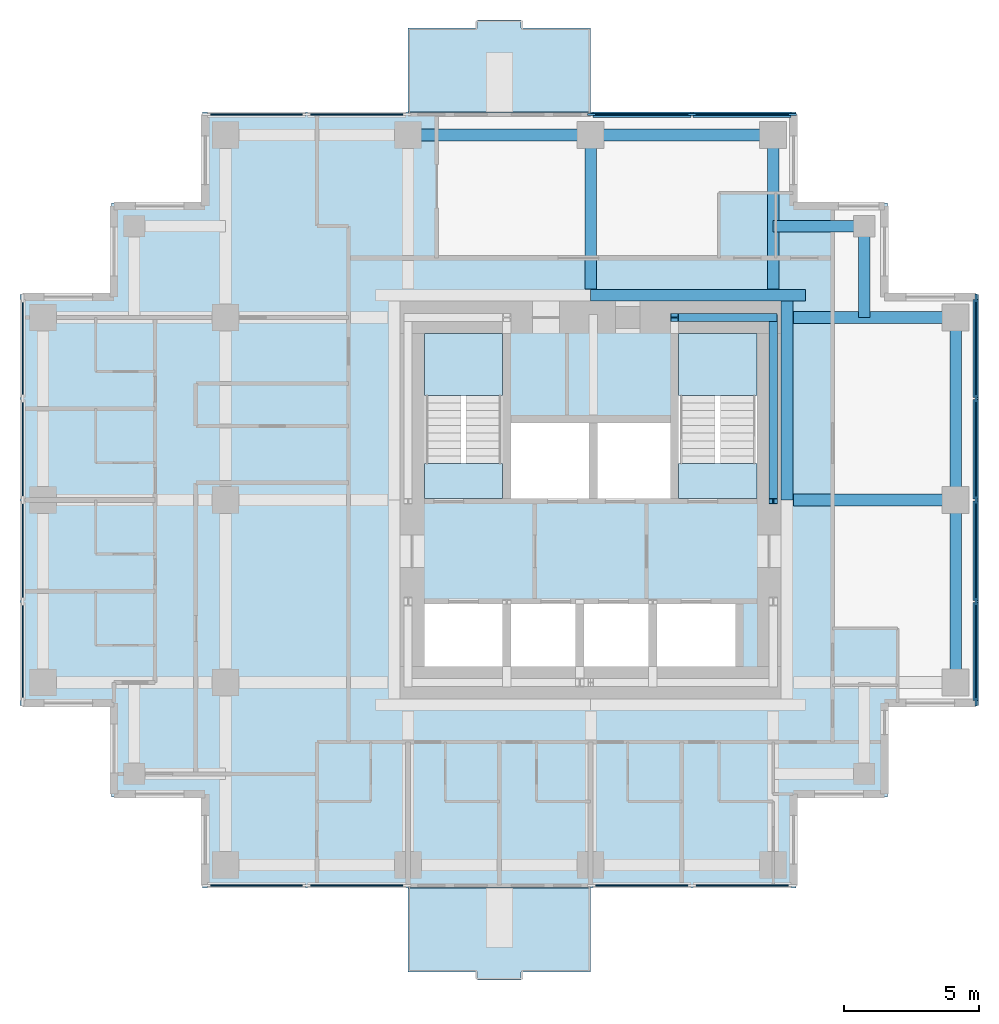
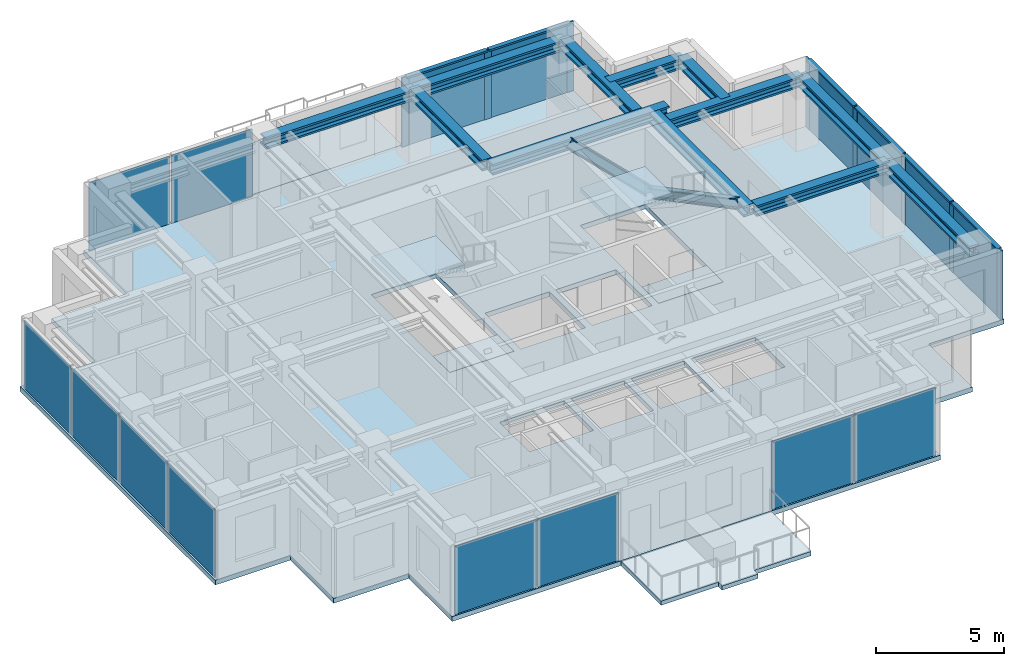
# One storey, part 2 of 8: 16 members, 16 plates, 12 beams, 7 slabs, 8 elements without a shape of their own.
"""IFC4 building model written with IfcOpenShell, lengths in metres."""

from ifc_helpers import new_model, si_unit, direction, frame, origin, origin_2d, place, context, subcontext, project, spatial, polyline, rectangle, i_section, outline, extrude, material, layer, layer_set, material_profile, profile_set, type_object, element, aggregate, save


model = new_model("IFC4")

# Units and contexts
model_context = context("Model", 3, precision=1e-05, world=origin(), true_north=direction((0.0, 1.0)))
body_context = subcontext(model_context, "Body", "Model", "MODEL_VIEW")
ifc_project = project(units=[si_unit("LENGTHUNIT", "METRE"), si_unit("AREAUNIT", "SQUARE_METRE"), si_unit("VOLUMEUNIT", "CUBIC_METRE"), si_unit("PLANEANGLEUNIT", "RADIAN"), si_unit("MASSUNIT", "GRAM", prefix="KILO")], contexts=[model_context])

# Site, building, storey
site_placement = place(None, origin())
site = spatial("IfcSite", under=ifc_project, at=site_placement, CompositionType="ELEMENT")
building_placement = place(site_placement, origin())
building = spatial("IfcBuilding", under=site, at=building_placement, Name="Nyansa Garden Tower", CompositionType="ELEMENT")
storey_placement = place(building_placement, frame((0.0, 0.0, 251.10009765625)))
storey = spatial("IfcBuildingStorey", under=building, at=storey_placement, Name="L68", CompositionType="ELEMENT", Elevation=251.10009765625)

# Curtain wall, members
ifc_material_1 = material(Name="Black anodised aluminium, dark tinted double glazing", Category="aluminium")
curtain_wall_type = type_object("IfcCurtainWallType", Name="Sky lounge curtain wall SLW", PredefinedType="USERDEFINED", material=ifc_material_1)
curtain_wall_1_placement = place(storey_placement, origin())
curtain_wall_1 = element("IfcCurtainWall", 1, at=curtain_wall_1_placement, inside=storey, type_object=curtain_wall_type, Name="Inner skin curtain wall L68 E", ObjectType="UNITISED CURTAIN WALL", PredefinedType="USERDEFINED")
ifc_material_2 = material(Name="Black anodised aluminium", Category="aluminium")
ifc_material_profile_1 = material_profile(ifc_material_2, rectangle(XDim=0.080078125, YDim=0.300048828125, at=origin_2d()), Name="Mullion 300x80")
ifc_profile_set_1 = profile_set([ifc_material_profile_1], Name="Black anodised aluminium")
member_type_1 = type_object("IfcMemberType", Name="Mullion SLW 300x80", PredefinedType="MULLION", material=ifc_profile_set_1)
member_1_placement = place(storey_placement, frame((34.5, 12.7900390625, 0.0), z_axis=(0.0, 0.0, 1.0), x_axis=(-1.0, 0.0, 0.0)))
member_1 = element("IfcMember", 2, at=member_1_placement, type_object=member_type_1, Name="SLW mullion 1", PredefinedType="MULLION", context=body_context, shape_type="SweptSolid", body=[
    extrude(rectangle(XDim=0.080078125, YDim=0.300048828125, at=origin_2d()), origin(), (0.0, 0.0, 1.0), 3.2998046875),
])
member_2_placement = place(storey_placement, frame((34.5, 16.5, 0.0), z_axis=(0.0, 0.0, 1.0), x_axis=(-1.0, 0.0, 0.0)))
member_2 = element("IfcMember", 3, at=member_2_placement, type_object=member_type_1, Name="SLW mullion 2", PredefinedType="MULLION", context=body_context, shape_type="SweptSolid", body=[
    extrude(rectangle(XDim=0.080078125, YDim=0.300048828125, at=origin_2d()), origin(), (0.0, 0.0, 1.0), 3.2998046875),
])
member_3_placement = place(storey_placement, frame((34.5, 20.25, 0.0), z_axis=(0.0, 0.0, 1.0), x_axis=(-1.0, 0.0, 0.0)))
member_3 = element("IfcMember", 4, at=member_3_placement, type_object=member_type_1, Name="SLW mullion 3", PredefinedType="MULLION", context=body_context, shape_type="SweptSolid", body=[
    extrude(rectangle(XDim=0.080078125, YDim=0.300048828125, at=origin_2d()), origin(), (0.0, 0.0, 1.0), 3.2998046875),
])
member_4_placement = place(storey_placement, frame((34.5, 24.0, 0.0), z_axis=(0.0, 0.0, 1.0), x_axis=(-1.0, 0.0, 0.0)))
member_4 = element("IfcMember", 5, at=member_4_placement, type_object=member_type_1, Name="SLW mullion 4", PredefinedType="MULLION", context=body_context, shape_type="SweptSolid", body=[
    extrude(rectangle(XDim=0.080078125, YDim=0.300048828125, at=origin_2d()), origin(), (0.0, 0.0, 1.0), 3.2998046875),
])
member_5_placement = place(storey_placement, frame((34.5, 27.7099609375, 0.0), z_axis=(0.0, 0.0, 1.0), x_axis=(-1.0, 0.0, 0.0)))
member_5 = element("IfcMember", 6, at=member_5_placement, type_object=member_type_1, Name="SLW mullion 5", PredefinedType="MULLION", context=body_context, shape_type="SweptSolid", body=[
    extrude(rectangle(XDim=0.080078125, YDim=0.300048828125, at=origin_2d()), origin(), (0.0, 0.0, 1.0), 3.2998046875),
])

curtain_wall_2_placement = place(storey_placement, origin())
curtain_wall_2 = element("IfcCurtainWall", 7, at=curtain_wall_2_placement, inside=storey, type_object=curtain_wall_type, Name="Inner skin curtain wall L68 N", ObjectType="UNITISED CURTAIN WALL", PredefinedType="USERDEFINED")
member_6_placement = place(storey_placement, frame((27.7099609375, 34.5, 0.0), z_axis=(0.0, 0.0, 1.0), x_axis=(0.0, -1.0, 0.0)))
member_6 = element("IfcMember", 8, at=member_6_placement, type_object=member_type_1, Name="SLW mullion 1", PredefinedType="MULLION", context=body_context, shape_type="SweptSolid", body=[
    extrude(rectangle(XDim=0.080078125, YDim=0.300048828125, at=origin_2d()), origin(), (0.0, 0.0, 1.0), 3.2998046875),
])
member_7_placement = place(storey_placement, frame((24.0, 34.5, 0.0), z_axis=(0.0, 0.0, 1.0), x_axis=(0.0, -1.0, 0.0)))
member_7 = element("IfcMember", 9, at=member_7_placement, type_object=member_type_1, Name="SLW mullion 2", PredefinedType="MULLION", context=body_context, shape_type="SweptSolid", body=[
    extrude(rectangle(XDim=0.080078125, YDim=0.300048828125, at=origin_2d()), origin(), (0.0, 0.0, 1.0), 3.2998046875),
])
member_8_placement = place(storey_placement, frame((20.2900390625, 34.5, 0.0), z_axis=(0.0, 0.0, 1.0), x_axis=(0.0, -1.0, 0.0)))
member_8 = element("IfcMember", 10, at=member_8_placement, type_object=member_type_1, Name="SLW mullion 3", PredefinedType="MULLION", context=body_context, shape_type="SweptSolid", body=[
    extrude(rectangle(XDim=0.080078125, YDim=0.300048828125, at=origin_2d()), origin(), (0.0, 0.0, 1.0), 3.2998046875),
])

# Members
ifc_material_3 = material(Name="Steel S355", Category="steel")
ifc_material_profile_2 = material_profile(ifc_material_3, i_section(OverallWidth=0.306884765625, OverallDepth=0.431884765625, WebThickness=0.02099609375, FlangeThickness=0.0400390625, FilletRadius=0.027099609375, at=origin_2d()), Name="HE 400 M")
ifc_profile_set_2 = profile_set([ifc_material_profile_2], Name="Steel S355")
member_type_2 = type_object("IfcMemberType", Name="Perimeter brace HE 400 M", PredefinedType="BRACE", material=ifc_profile_set_2)
member_9_placement = place(storey_placement, frame((27.0, 27.0, 0.0), z_axis=(-0.711971340796, 0.0, 0.702208523079), x_axis=(0.0, -1.0, 0.0)))
element("IfcMember", 11, at=member_9_placement, inside=storey, type_object=member_type_2, Name="Core brace CN4 L68", PredefinedType="BRACE", context=body_context, shape_type="SweptSolid", body=[
    extrude(i_section(OverallWidth=0.306884765625, OverallDepth=0.431884765625, WebThickness=0.02099609375, FlangeThickness=0.0400390625, FilletRadius=0.027099609375, at=origin_2d()), origin(), (0.0, 0.0, 1.0), 5.12646484375),
])
member_10_placement = place(storey_placement, frame((27.0, 27.0, 0.0), z_axis=(0.0, -0.883797178129, 0.467870225524), x_axis=(1.0, 0.0, 0.0)))
element("IfcMember", 12, at=member_10_placement, inside=storey, type_object=member_type_2, Name="Core brace CE8 L68", PredefinedType="BRACE", context=body_context, shape_type="SweptSolid", body=[
    extrude(i_section(OverallWidth=0.306884765625, OverallDepth=0.431884765625, WebThickness=0.02099609375, FlangeThickness=0.0400390625, FilletRadius=0.027099609375, at=origin_2d()), origin(), (0.0, 0.0, 1.0), 7.694091796875),
])

# Beams
ifc_material_4 = material(Name="Steel S355", Category="steel")
ifc_material_profile_3 = material_profile(ifc_material_4, i_section(OverallWidth=0.431884765625, OverallDepth=0.498046875, WebThickness=0.0556640625, FlangeThickness=0.0888671875, FilletRadius=0.014892578125, at=origin_2d()), Name="HD 400x744")
ifc_profile_set_3 = profile_set([ifc_material_profile_3], Name="Steel S355")
beam_type_1 = type_object("IfcBeamType", Name="Steel beam SBD1-744 HD 400x744", PredefinedType="BEAM", material=ifc_profile_set_3)
beam_1_placement = place(storey_placement, frame((20.25, 28.050048828125, 3.05078125), z_axis=(0.0, 1.0, 0.0), x_axis=(-1.0, 0.0, 0.0)))
element("IfcBeam", 13, at=beam_1_placement, inside=storey, type_object=beam_type_1, Name="Steel beam 5/28.050-5/J L69", PredefinedType="BEAM", context=body_context, shape_type="SweptSolid", body=[
    extrude(i_section(OverallWidth=0.431884765625, OverallDepth=0.498046875, WebThickness=0.0556640625, FlangeThickness=0.0888671875, FilletRadius=0.014892578125, at=origin_2d()), origin(), (0.0, 0.0, 1.0), 5.699951171875),
])
beam_2_placement = place(storey_placement, frame((27.75, 20.25, 3.05078125), z_axis=(1.0, 0.0, 0.0), x_axis=(0.0, 1.0, 0.0)))
element("IfcBeam", 14, at=beam_2_placement, inside=storey, type_object=beam_type_1, Name="Steel beam 27.750/G-7/G L69", PredefinedType="BEAM", context=body_context, shape_type="SweptSolid", body=[
    extrude(i_section(OverallWidth=0.431884765625, OverallDepth=0.498046875, WebThickness=0.0556640625, FlangeThickness=0.0888671875, FilletRadius=0.014892578125, at=origin_2d()), origin(), (0.0, 0.0, 1.0), 6.0),
])
beam_3_placement = place(storey_placement, frame((27.0, 28.050048828125, 3.05078125), z_axis=(0.0, 1.0, 0.0), x_axis=(-1.0, 0.0, 0.0)))
element("IfcBeam", 15, at=beam_3_placement, inside=storey, type_object=beam_type_1, Name="Steel beam 6/28.050-6/J L69", PredefinedType="BEAM", context=body_context, shape_type="SweptSolid", body=[
    extrude(i_section(OverallWidth=0.431884765625, OverallDepth=0.498046875, WebThickness=0.0556640625, FlangeThickness=0.0888671875, FilletRadius=0.014892578125, at=origin_2d()), origin(), (0.0, 0.0, 1.0), 5.699951171875),
])
beam_4_placement = place(storey_placement, frame((27.75, 27.0, 3.05078125), z_axis=(1.0, 0.0, 0.0), x_axis=(0.0, 1.0, 0.0)))
element("IfcBeam", 16, at=beam_4_placement, inside=storey, type_object=beam_type_1, Name="Steel beam 27.750/H-7/H L69", PredefinedType="BEAM", context=body_context, shape_type="SweptSolid", body=[
    extrude(i_section(OverallWidth=0.431884765625, OverallDepth=0.498046875, WebThickness=0.0556640625, FlangeThickness=0.0888671875, FilletRadius=0.014892578125, at=origin_2d()), origin(), (0.0, 0.0, 1.0), 6.0),
])
ifc_material_5 = material(Name="Steel S355", Category="steel")
ifc_material_profile_4 = material_profile(ifc_material_5, i_section(OverallWidth=0.431884765625, OverallDepth=0.498046875, WebThickness=0.0556640625, FlangeThickness=0.0888671875, FilletRadius=0.014892578125, at=origin_2d()), Name="HD 400x744")
ifc_profile_set_4 = profile_set([ifc_material_profile_4], Name="Steel S355")
beam_type_2 = type_object("IfcBeamType", Name="Steel beam SEBD-744 HD 400x744", PredefinedType="BEAM", material=ifc_profile_set_4)
for number, where, z_axis, x_axis, name in (
    (17, (13.5, 33.75, 3.05078125), (1.0, 0.0, 0.0), (0.0, 1.0, 0.0), "Steel edge beam 4/J-5/J L69"),
    (18, (20.25, 33.75, 3.05078125), (1.0, 0.0, 0.0), (0.0, 1.0, 0.0), "Steel edge beam 5/J-6/J L69"),
    (19, (33.75, 13.5, 3.05078125), (0.0, 1.0, 0.0), (-1.0, 0.0, 0.0), "Steel edge beam 7/F-7/G L69"),
    (20, (33.75, 20.25, 3.05078125), (0.0, 1.0, 0.0), (-1.0, 0.0, 0.0), "Steel edge beam 7/G-7/H L69"),
):
    element("IfcBeam", number, at=place(storey_placement, frame(where, z_axis=z_axis, x_axis=x_axis)), inside=storey, type_object=beam_type_2, Name=name, PredefinedType="BEAM", context=body_context, shape_type="SweptSolid", body=[
        extrude(i_section(OverallWidth=0.431884765625, OverallDepth=0.498046875, WebThickness=0.0556640625, FlangeThickness=0.0888671875, FilletRadius=0.014892578125, at=origin_2d()), origin(), (0.0, 0.0, 1.0), 6.75),
    ])
ifc_material_6 = material(Name="Steel S355", Category="steel")
ifc_material_profile_5 = material_profile(ifc_material_6, i_section(OverallWidth=0.431884765625, OverallDepth=0.498046875, WebThickness=0.0556640625, FlangeThickness=0.0888671875, FilletRadius=0.014892578125, at=origin_2d()), Name="HD 400x744")
ifc_profile_set_5 = profile_set([ifc_material_profile_5], Name="Steel S355")
beam_type_3 = type_object("IfcBeamType", Name="Steel beam SLB1-744 HD 400x744", PredefinedType="BEAM", material=ifc_profile_set_5)
beam_5_placement = place(storey_placement, frame((27.51611328125, 20.25, 3.05078125), z_axis=(0.0, 1.0, 0.0), x_axis=(-1.0, 0.0, 0.0)))
element("IfcBeam", 21, at=beam_5_placement, inside=storey, type_object=beam_type_3, Name="Steel core ledger beam E.2 L69", PredefinedType="BEAM", context=body_context, shape_type="SweptSolid", body=[
    extrude(i_section(OverallWidth=0.431884765625, OverallDepth=0.498046875, WebThickness=0.0556640625, FlangeThickness=0.0888671875, FilletRadius=0.014892578125, at=origin_2d()), origin(), (0.0, 0.0, 1.0), 7.35009765625),
])
beam_6_placement = place(storey_placement, frame((28.199951171875, 27.81591796875, 3.05078125), z_axis=(-1.0, 0.0, 0.0), x_axis=(0.0, -1.0, 0.0)))
element("IfcBeam", 22, at=beam_6_placement, inside=storey, type_object=beam_type_3, Name="Steel core ledger beam N.1 L69", PredefinedType="BEAM", context=body_context, shape_type="SweptSolid", body=[
    extrude(i_section(OverallWidth=0.431884765625, OverallDepth=0.498046875, WebThickness=0.0556640625, FlangeThickness=0.0888671875, FilletRadius=0.014892578125, at=origin_2d()), origin(), (0.0, 0.0, 1.0), 7.949951171875),
])
ifc_material_7 = material(Name="Steel S355", Category="steel")
ifc_material_profile_6 = material_profile(ifc_material_7, i_section(OverallWidth=0.431884765625, OverallDepth=0.498046875, WebThickness=0.0556640625, FlangeThickness=0.0888671875, FilletRadius=0.014892578125, at=origin_2d()), Name="HD 400x744")
ifc_profile_set_6 = profile_set([ifc_material_profile_6], Name="Steel S355")
beam_type_4 = type_object("IfcBeamType", Name="Steel beam SSB1-744 HD 400x744", PredefinedType="BEAM", material=ifc_profile_set_6)
for number, where, z_axis, x_axis, name in (
    (23, (30.375, 30.375, 3.05078125), (0.0, -1.0, 0.0), (1.0, 0.0, 0.0), "Steel step beam 30.375/30.375 L69"),
    (24, (30.375, 30.375, 3.05078125), (-1.0, 0.0, 0.0), (0.0, -1.0, 0.0), "Steel step beam 30.375/30.375 L69"),
):
    element("IfcBeam", number, at=place(storey_placement, frame(where, z_axis=z_axis, x_axis=x_axis)), inside=storey, type_object=beam_type_4, Name=name, PredefinedType="BEAM", context=body_context, shape_type="SweptSolid", body=[
        extrude(i_section(OverallWidth=0.431884765625, OverallDepth=0.498046875, WebThickness=0.0556640625, FlangeThickness=0.0888671875, FilletRadius=0.014892578125, at=origin_2d()), origin(), (0.0, 0.0, 1.0), 3.375),
    ])

# Member
ifc_material_8 = material(Name="Black anodised aluminium", Category="aluminium")
ifc_material_profile_7 = material_profile(ifc_material_8, rectangle(XDim=0.199951171875, YDim=0.080078125, at=origin_2d()), Name="Transom 200x80")
ifc_profile_set_7 = profile_set([ifc_material_profile_7], Name="Black anodised aluminium")
member_type_3 = type_object("IfcMemberType", Name="Transom SLW 200x80", PredefinedType="USERDEFINED", material=ifc_profile_set_7)
member_11_placement = place(storey_placement, frame((34.5, 12.830078125, 3.260009765625), z_axis=(0.0, 1.0, 0.0), x_axis=(-1.0, 0.0, 0.0)))
member_11 = element("IfcMember", 25, at=member_11_placement, type_object=member_type_3, Name="SLW transom 1", ObjectType="TRANSOM", PredefinedType="USERDEFINED", context=body_context, shape_type="SweptSolid", body=[
    extrude(rectangle(XDim=0.199951171875, YDim=0.080078125, at=origin_2d()), origin(), (0.0, 0.0, 1.0), 3.6298828125),
])

member_12_placement = place(storey_placement, frame((34.5, 16.5400390625, 3.260009765625), z_axis=(0.0, 1.0, 0.0), x_axis=(-1.0, 0.0, 0.0)))
member_12 = element("IfcMember", 26, at=member_12_placement, type_object=member_type_3, Name="SLW transom 2", ObjectType="TRANSOM", PredefinedType="USERDEFINED", context=body_context, shape_type="SweptSolid", body=[
    extrude(rectangle(XDim=0.199951171875, YDim=0.080078125, at=origin_2d()), origin(), (0.0, 0.0, 1.0), 3.669921875),
])

member_13_placement = place(storey_placement, frame((34.5, 20.2900390625, 3.260009765625), z_axis=(0.0, 1.0, 0.0), x_axis=(-1.0, 0.0, 0.0)))
member_13 = element("IfcMember", 27, at=member_13_placement, type_object=member_type_3, Name="SLW transom 3", ObjectType="TRANSOM", PredefinedType="USERDEFINED", context=body_context, shape_type="SweptSolid", body=[
    extrude(rectangle(XDim=0.199951171875, YDim=0.080078125, at=origin_2d()), origin(), (0.0, 0.0, 1.0), 3.669921875),
])

member_14_placement = place(storey_placement, frame((34.5, 24.0400390625, 3.260009765625), z_axis=(0.0, 1.0, 0.0), x_axis=(-1.0, 0.0, 0.0)))
member_14 = element("IfcMember", 28, at=member_14_placement, type_object=member_type_3, Name="SLW transom 4", ObjectType="TRANSOM", PredefinedType="USERDEFINED", context=body_context, shape_type="SweptSolid", body=[
    extrude(rectangle(XDim=0.199951171875, YDim=0.080078125, at=origin_2d()), origin(), (0.0, 0.0, 1.0), 3.6298828125),
])

member_15_placement = place(storey_placement, frame((27.669921875, 34.5, 3.260009765625), z_axis=(-1.0, 0.0, 0.0), x_axis=(0.0, -1.0, 0.0)))
member_15 = element("IfcMember", 29, at=member_15_placement, type_object=member_type_3, Name="SLW transom 1", ObjectType="TRANSOM", PredefinedType="USERDEFINED", context=body_context, shape_type="SweptSolid", body=[
    extrude(rectangle(XDim=0.199951171875, YDim=0.080078125, at=origin_2d()), origin(), (0.0, 0.0, 1.0), 3.6298828125),
])

member_16_placement = place(storey_placement, frame((23.9599609375, 34.5, 3.260009765625), z_axis=(-1.0, 0.0, 0.0), x_axis=(0.0, -1.0, 0.0)))
member_16 = element("IfcMember", 30, at=member_16_placement, type_object=member_type_3, Name="SLW transom 2", ObjectType="TRANSOM", PredefinedType="USERDEFINED", context=body_context, shape_type="SweptSolid", body=[
    extrude(rectangle(XDim=0.199951171875, YDim=0.080078125, at=origin_2d()), origin(), (0.0, 0.0, 1.0), 3.6298828125),
])

# Slabs
ifc_material_9 = material(Name="Concrete C40/50", Category="concrete")
ifc_layer_1 = layer(ifc_material_9, 0.199951171875)
ifc_layer_set_1 = layer_set([ifc_layer_1], Name="Balcony slab BS200")
slab_type_1 = type_object("IfcSlabType", Name="Balcony slab BS200", PredefinedType="FLOOR", material=ifc_layer_set_1)
slab_1_placement = place(storey_placement, frame((0.0, 0.0, -0.239990234375)))
element("IfcSlab", 31, at=slab_1_placement, inside=storey, type_object=slab_type_1, Name="Balcony L68 S", PredefinedType="FLOOR", context=body_context, shape_type="SweptSolid", body=[
    extrude(outline(polyline([(13.5, 5.89990234375), (20.25, 5.89990234375), (20.25, 2.800048828125), (17.675048828125, 2.800048828125), (17.675048828125, 2.5), (16.074951171875, 2.5), (16.074951171875, 2.800048828125), (13.5, 2.800048828125), (13.5, 5.89990234375)])), origin(), (0.0, 0.0, 1.0), 0.199951171875),
])
slab_2_placement = place(storey_placement, frame((0.0, 0.0, -0.239990234375)))
element("IfcSlab", 32, at=slab_2_placement, inside=storey, type_object=slab_type_1, Name="Balcony L68 N", PredefinedType="FLOOR", context=body_context, shape_type="SweptSolid", body=[
    extrude(outline(polyline([(13.5, 34.60009765625), (20.25, 34.60009765625), (20.25, 37.699951171875), (17.675048828125, 37.699951171875), (17.675048828125, 38.0), (16.074951171875, 38.0), (16.074951171875, 37.699951171875), (13.5, 37.699951171875), (13.5, 34.60009765625)])), origin(), (0.0, 0.0, 1.0), 0.199951171875),
])
ifc_material_10 = material(Name="Concrete C40/50", Category="concrete")
ifc_layer_2 = layer(ifc_material_10, 0.22509765625)
ifc_layer_set_2 = layer_set([ifc_layer_2], Name="Floor slab FS225")
slab_type_2 = type_object("IfcSlabType", Name="Floor slab FS225", PredefinedType="FLOOR", material=ifc_layer_set_2)
slab_3_placement = place(storey_placement, frame((0.0, 0.0, -0.22509765625)))
element("IfcSlab", 33, at=slab_3_placement, inside=storey, type_object=slab_type_2, Name="Floor slab L68", PredefinedType="FLOOR", context=body_context, shape_type="SweptSolid", body=[
    extrude(outline(polyline([(34.60009765625, 12.64990234375), (31.22509765625, 12.64990234375), (31.22509765625, 9.27490234375), (27.85009765625, 9.27490234375), (27.85009765625, 5.89990234375), (5.89990234375, 5.89990234375), (5.89990234375, 9.27490234375), (2.52490234375, 9.27490234375), (2.52490234375, 12.64990234375), (-0.85009765625, 12.64990234375), (-0.85009765625, 27.85009765625), (2.52490234375, 27.85009765625), (2.52490234375, 31.22509765625), (5.89990234375, 31.22509765625), (5.89990234375, 34.60009765625), (27.85009765625, 34.60009765625), (27.85009765625, 31.22509765625), (31.22509765625, 31.22509765625), (31.22509765625, 27.85009765625), (34.60009765625, 27.85009765625), (34.60009765625, 12.64990234375)]), holes=[polyline([(14.10009765625, 14.10009765625), (17.0, 14.10009765625), (17.0, 16.39990234375), (14.10009765625, 16.39990234375), (14.10009765625, 14.10009765625)]), polyline([(17.300048828125, 14.10009765625), (19.699951171875, 14.10009765625), (19.699951171875, 16.39990234375), (17.300048828125, 16.39990234375), (17.300048828125, 14.10009765625)]), polyline([(20.0, 14.10009765625), (22.39990234375, 14.10009765625), (22.39990234375, 16.39990234375), (20.0, 16.39990234375), (20.0, 14.10009765625)]), polyline([(22.699951171875, 14.10009765625), (25.60009765625, 14.10009765625), (25.60009765625, 16.39990234375), (22.699951171875, 16.39990234375), (22.699951171875, 14.10009765625)]), polyline([(17.300048828125, 20.300048828125), (20.199951171875, 20.300048828125), (20.199951171875, 23.10009765625), (17.300048828125, 23.10009765625), (17.300048828125, 20.300048828125)]), polyline([(20.5, 20.300048828125), (23.199951171875, 20.300048828125), (23.199951171875, 23.10009765625), (20.5, 23.10009765625), (20.5, 20.300048828125)]), polyline([(14.10009765625, 20.300048828125), (17.0, 20.300048828125), (17.0, 26.39990234375), (14.10009765625, 26.39990234375), (14.10009765625, 20.300048828125)]), polyline([(23.5, 20.300048828125), (26.39990234375, 20.300048828125), (26.39990234375, 26.39990234375), (23.5, 26.39990234375), (23.5, 20.300048828125)])]), origin(), (0.0, 0.0, 1.0), 0.22509765625),
])

# Plate
ifc_material_11 = material(Name="Dark tinted laminated double glazing", Category="glass")
ifc_layer_3 = layer(ifc_material_11, 0.048095703125)
ifc_layer_set_3 = layer_set([ifc_layer_3], Name="Lounge vision panel VP-L")
plate_type = type_object("IfcPlateType", Name="Lounge vision panel VP-L", PredefinedType="CURTAIN_PANEL", material=ifc_layer_set_3)
plate_1_placement = place(storey_placement, frame((34.5, 14.64501953125, 0.0), z_axis=(0.0, 0.0, 1.0), x_axis=(0.0, 1.0, 0.0)))
plate_1 = element("IfcPlate", 34, at=plate_1_placement, type_object=plate_type, Name="SLW panel 1", PredefinedType="CURTAIN_PANEL", context=body_context, shape_type="SweptSolid", body=[
    extrude(rectangle(XDim=3.6298828125, YDim=0.048095703125, at=origin_2d()), origin(), (0.0, 0.0, 1.0), 3.219970703125),
])

plate_2_placement = place(storey_placement, frame((34.5, 18.375, 0.0), z_axis=(0.0, 0.0, 1.0), x_axis=(0.0, 1.0, 0.0)))
plate_2 = element("IfcPlate", 35, at=plate_2_placement, type_object=plate_type, Name="SLW panel 2", PredefinedType="CURTAIN_PANEL", context=body_context, shape_type="SweptSolid", body=[
    extrude(rectangle(XDim=3.669921875, YDim=0.048095703125, at=origin_2d()), origin(), (0.0, 0.0, 1.0), 3.219970703125),
])

plate_3_placement = place(storey_placement, frame((34.5, 22.125, 0.0), z_axis=(0.0, 0.0, 1.0), x_axis=(0.0, 1.0, 0.0)))
plate_3 = element("IfcPlate", 36, at=plate_3_placement, type_object=plate_type, Name="SLW panel 3", PredefinedType="CURTAIN_PANEL", context=body_context, shape_type="SweptSolid", body=[
    extrude(rectangle(XDim=3.669921875, YDim=0.048095703125, at=origin_2d()), origin(), (0.0, 0.0, 1.0), 3.219970703125),
])

plate_4_placement = place(storey_placement, frame((34.5, 25.85498046875, 0.0), z_axis=(0.0, 0.0, 1.0), x_axis=(0.0, 1.0, 0.0)))
plate_4 = element("IfcPlate", 37, at=plate_4_placement, type_object=plate_type, Name="SLW panel 4", PredefinedType="CURTAIN_PANEL", context=body_context, shape_type="SweptSolid", body=[
    extrude(rectangle(XDim=3.6298828125, YDim=0.048095703125, at=origin_2d()), origin(), (0.0, 0.0, 1.0), 3.219970703125),
])

aggregate(curtain_wall_1, [member_1, member_2, member_3, member_4, member_5, member_11, plate_1, member_12, plate_2, member_13, plate_3, member_14, plate_4])

# Curtain wall, plates
curtain_wall_3_placement = place(storey_placement, origin())
curtain_wall_3 = element("IfcCurtainWall", 38, at=curtain_wall_3_placement, inside=storey, type_object=curtain_wall_type, Name="Inner skin curtain wall L68 N", ObjectType="UNITISED CURTAIN WALL", PredefinedType="USERDEFINED")
plate_5_placement = place(storey_placement, frame((11.60498046875, 34.5, 0.0), z_axis=(0.0, 0.0, 1.0), x_axis=(-1.0, 0.0, 0.0)))
plate_5 = element("IfcPlate", 39, at=plate_5_placement, type_object=plate_type, Name="SLW panel 1", PredefinedType="CURTAIN_PANEL", context=body_context, shape_type="SweptSolid", body=[
    extrude(rectangle(XDim=3.6298828125, YDim=0.048095703125, at=origin_2d()), origin(), (0.0, 0.0, 1.0), 3.219970703125),
])
plate_6_placement = place(storey_placement, frame((7.89501953125, 34.5, 0.0), z_axis=(0.0, 0.0, 1.0), x_axis=(-1.0, 0.0, 0.0)))
plate_6 = element("IfcPlate", 40, at=plate_6_placement, type_object=plate_type, Name="SLW panel 2", PredefinedType="CURTAIN_PANEL", context=body_context, shape_type="SweptSolid", body=[
    extrude(rectangle(XDim=3.6298828125, YDim=0.048095703125, at=origin_2d()), origin(), (0.0, 0.0, 1.0), 3.219970703125),
])
aggregate(curtain_wall_3, [plate_5, plate_6])

# Plate
plate_7_placement = place(storey_placement, frame((25.85498046875, 34.5, 0.0), z_axis=(0.0, 0.0, 1.0), x_axis=(-1.0, 0.0, 0.0)))
plate_7 = element("IfcPlate", 41, at=plate_7_placement, type_object=plate_type, Name="SLW panel 1", PredefinedType="CURTAIN_PANEL", context=body_context, shape_type="SweptSolid", body=[
    extrude(rectangle(XDim=3.6298828125, YDim=0.048095703125, at=origin_2d()), origin(), (0.0, 0.0, 1.0), 3.219970703125),
])

plate_8_placement = place(storey_placement, frame((22.14501953125, 34.5, 0.0), z_axis=(0.0, 0.0, 1.0), x_axis=(-1.0, 0.0, 0.0)))
plate_8 = element("IfcPlate", 42, at=plate_8_placement, type_object=plate_type, Name="SLW panel 2", PredefinedType="CURTAIN_PANEL", context=body_context, shape_type="SweptSolid", body=[
    extrude(rectangle(XDim=3.6298828125, YDim=0.048095703125, at=origin_2d()), origin(), (0.0, 0.0, 1.0), 3.219970703125),
])

aggregate(curtain_wall_2, [member_6, member_7, member_8, member_15, plate_7, member_16, plate_8])

# Curtain wall, plates
curtain_wall_4_placement = place(storey_placement, origin())
curtain_wall_4 = element("IfcCurtainWall", 43, at=curtain_wall_4_placement, inside=storey, type_object=curtain_wall_type, Name="Inner skin curtain wall L68 W", ObjectType="UNITISED CURTAIN WALL", PredefinedType="USERDEFINED")
plate_9_placement = place(storey_placement, frame((-0.75, 25.85498046875, 0.0), z_axis=(0.0, 0.0, 1.0), x_axis=(0.0, -1.0, 0.0)))
plate_9 = element("IfcPlate", 44, at=plate_9_placement, type_object=plate_type, Name="SLW panel 1", PredefinedType="CURTAIN_PANEL", context=body_context, shape_type="SweptSolid", body=[
    extrude(rectangle(XDim=3.6298828125, YDim=0.048095703125, at=origin_2d()), origin(), (0.0, 0.0, 1.0), 3.219970703125),
])
plate_10_placement = place(storey_placement, frame((-0.75, 22.125, 0.0), z_axis=(0.0, 0.0, 1.0), x_axis=(0.0, -1.0, 0.0)))
plate_10 = element("IfcPlate", 45, at=plate_10_placement, type_object=plate_type, Name="SLW panel 2", PredefinedType="CURTAIN_PANEL", context=body_context, shape_type="SweptSolid", body=[
    extrude(rectangle(XDim=3.669921875, YDim=0.048095703125, at=origin_2d()), origin(), (0.0, 0.0, 1.0), 3.219970703125),
])
plate_11_placement = place(storey_placement, frame((-0.75, 18.375, 0.0), z_axis=(0.0, 0.0, 1.0), x_axis=(0.0, -1.0, 0.0)))
plate_11 = element("IfcPlate", 46, at=plate_11_placement, type_object=plate_type, Name="SLW panel 3", PredefinedType="CURTAIN_PANEL", context=body_context, shape_type="SweptSolid", body=[
    extrude(rectangle(XDim=3.669921875, YDim=0.048095703125, at=origin_2d()), origin(), (0.0, 0.0, 1.0), 3.219970703125),
])
plate_12_placement = place(storey_placement, frame((-0.75, 14.64501953125, 0.0), z_axis=(0.0, 0.0, 1.0), x_axis=(0.0, -1.0, 0.0)))
plate_12 = element("IfcPlate", 47, at=plate_12_placement, type_object=plate_type, Name="SLW panel 4", PredefinedType="CURTAIN_PANEL", context=body_context, shape_type="SweptSolid", body=[
    extrude(rectangle(XDim=3.6298828125, YDim=0.048095703125, at=origin_2d()), origin(), (0.0, 0.0, 1.0), 3.219970703125),
])
aggregate(curtain_wall_4, [plate_9, plate_10, plate_11, plate_12])

curtain_wall_5_placement = place(storey_placement, origin())
curtain_wall_5 = element("IfcCurtainWall", 48, at=curtain_wall_5_placement, inside=storey, type_object=curtain_wall_type, Name="Inner skin curtain wall L68 S", ObjectType="UNITISED CURTAIN WALL", PredefinedType="USERDEFINED")
plate_13_placement = place(storey_placement, frame((7.89501953125, 6.0, 0.0), z_axis=(0.0, 0.0, 1.0), x_axis=(1.0, 0.0, 0.0)))
plate_13 = element("IfcPlate", 49, at=plate_13_placement, type_object=plate_type, Name="SLW panel 1", PredefinedType="CURTAIN_PANEL", context=body_context, shape_type="SweptSolid", body=[
    extrude(rectangle(XDim=3.6298828125, YDim=0.048095703125, at=origin_2d()), origin(), (0.0, 0.0, 1.0), 3.219970703125),
])
plate_14_placement = place(storey_placement, frame((11.60498046875, 6.0, 0.0), z_axis=(0.0, 0.0, 1.0), x_axis=(1.0, 0.0, 0.0)))
plate_14 = element("IfcPlate", 50, at=plate_14_placement, type_object=plate_type, Name="SLW panel 2", PredefinedType="CURTAIN_PANEL", context=body_context, shape_type="SweptSolid", body=[
    extrude(rectangle(XDim=3.6298828125, YDim=0.048095703125, at=origin_2d()), origin(), (0.0, 0.0, 1.0), 3.219970703125),
])
aggregate(curtain_wall_5, [plate_13, plate_14])

curtain_wall_6_placement = place(storey_placement, origin())
curtain_wall_6 = element("IfcCurtainWall", 51, at=curtain_wall_6_placement, inside=storey, type_object=curtain_wall_type, Name="Inner skin curtain wall L68 S", ObjectType="UNITISED CURTAIN WALL", PredefinedType="USERDEFINED")
plate_15_placement = place(storey_placement, frame((22.14501953125, 6.0, 0.0), z_axis=(0.0, 0.0, 1.0), x_axis=(1.0, 0.0, 0.0)))
plate_15 = element("IfcPlate", 52, at=plate_15_placement, type_object=plate_type, Name="SLW panel 1", PredefinedType="CURTAIN_PANEL", context=body_context, shape_type="SweptSolid", body=[
    extrude(rectangle(XDim=3.6298828125, YDim=0.048095703125, at=origin_2d()), origin(), (0.0, 0.0, 1.0), 3.219970703125),
])
plate_16_placement = place(storey_placement, frame((25.85498046875, 6.0, 0.0), z_axis=(0.0, 0.0, 1.0), x_axis=(1.0, 0.0, 0.0)))
plate_16 = element("IfcPlate", 53, at=plate_16_placement, type_object=plate_type, Name="SLW panel 2", PredefinedType="CURTAIN_PANEL", context=body_context, shape_type="SweptSolid", body=[
    extrude(rectangle(XDim=3.6298828125, YDim=0.048095703125, at=origin_2d()), origin(), (0.0, 0.0, 1.0), 3.219970703125),
])
aggregate(curtain_wall_6, [plate_15, plate_16])

# Stair, slabs
ifc_material_12 = material(Name="Precast concrete C40/50", Category="concrete")
stair_type_1 = type_object("IfcStairType", Name="Stair S1 180x280", PredefinedType="HALF_TURN_STAIR", material=ifc_material_12)
stair_1_placement = place(storey_placement, origin())
stair_1 = element("IfcStair", 54, at=stair_1_placement, inside=storey, type_object=stair_type_1, Name="Stair S1 L68", PredefinedType="HALF_TURN_STAIR")
ifc_material_13 = material(Name="Concrete C40/50", Category="concrete")
ifc_layer_4 = layer(ifc_material_13, 0.199951171875)
ifc_layer_set_4 = layer_set([ifc_layer_4], Name="Stair landing SL200")
slab_type_3 = type_object("IfcSlabType", Name="Stair landing SL200", PredefinedType="LANDING", material=ifc_layer_set_4)
slab_4_placement = place(storey_placement, frame((0.0, 0.0, -0.2001953125)))
slab_4 = element("IfcSlab", 55, at=slab_4_placement, type_object=slab_type_3, Name="S1 landing 1", PredefinedType="LANDING", context=body_context, shape_type="SweptSolid", body=[
    extrude(outline(polyline([(14.10009765625, 20.300048828125), (17.0, 20.300048828125), (17.0, 21.60009765625), (14.10009765625, 21.60009765625), (14.10009765625, 20.300048828125)])), origin(), (0.0, 0.0, 1.0), 0.2001953125),
])
slab_5_placement = place(storey_placement, frame((0.0, 0.0, 1.599853515625)))
slab_5 = element("IfcSlab", 56, at=slab_5_placement, type_object=slab_type_3, Name="S1 landing 2", PredefinedType="LANDING", context=body_context, shape_type="SweptSolid", body=[
    extrude(outline(polyline([(14.10009765625, 24.1201171875), (17.0, 24.1201171875), (17.0, 26.39990234375), (14.10009765625, 26.39990234375), (14.10009765625, 24.1201171875)])), origin(), (0.0, 0.0, 1.0), 0.199951171875),
])
aggregate(stair_1, [slab_4, slab_5])

ifc_material_14 = material(Name="Precast concrete C40/50", Category="concrete")
stair_type_2 = type_object("IfcStairType", Name="Stair S2 180x280", PredefinedType="HALF_TURN_STAIR", material=ifc_material_14)
stair_2_placement = place(storey_placement, origin())
stair_2 = element("IfcStair", 57, at=stair_2_placement, inside=storey, type_object=stair_type_2, Name="Stair S2 L68", PredefinedType="HALF_TURN_STAIR")
slab_6_placement = place(storey_placement, frame((0.0, 0.0, -0.2001953125)))
slab_6 = element("IfcSlab", 58, at=slab_6_placement, type_object=slab_type_3, Name="S2 landing 1", PredefinedType="LANDING", context=body_context, shape_type="SweptSolid", body=[
    extrude(outline(polyline([(23.5, 20.300048828125), (26.39990234375, 20.300048828125), (26.39990234375, 21.60009765625), (23.5, 21.60009765625), (23.5, 20.300048828125)])), origin(), (0.0, 0.0, 1.0), 0.2001953125),
])
slab_7_placement = place(storey_placement, frame((0.0, 0.0, 1.599853515625)))
slab_7 = element("IfcSlab", 59, at=slab_7_placement, type_object=slab_type_3, Name="S2 landing 2", PredefinedType="LANDING", context=body_context, shape_type="SweptSolid", body=[
    extrude(outline(polyline([(23.5, 24.1201171875), (26.39990234375, 24.1201171875), (26.39990234375, 26.39990234375), (23.5, 26.39990234375), (23.5, 24.1201171875)])), origin(), (0.0, 0.0, 1.0), 0.199951171875),
])
aggregate(stair_2, [slab_6, slab_7])

save(model, "model.ifc")
